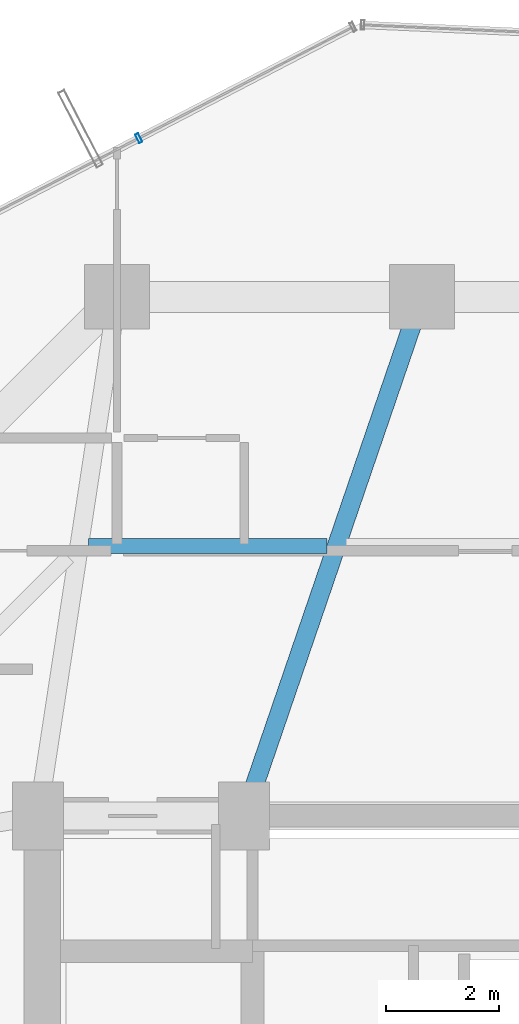
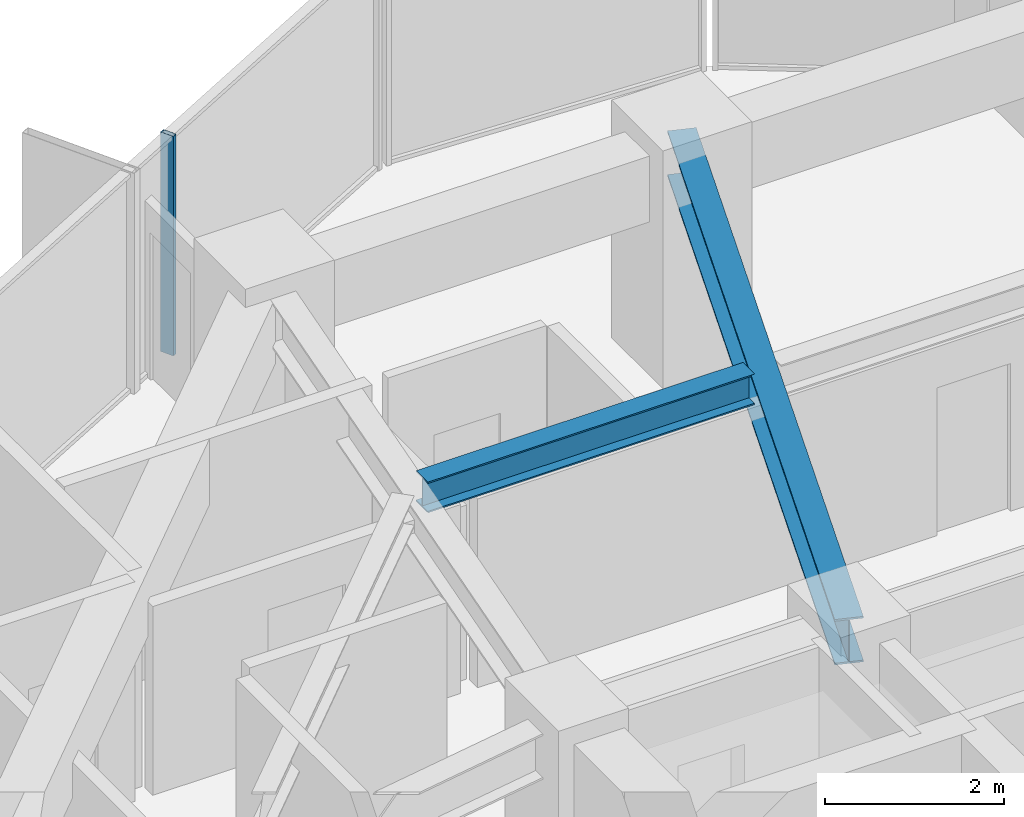
# One storey, part 19 of 30: 2 beams, 1 member, 1 element without a shape of its own.
"""IFC4 building model written with IfcOpenShell, lengths in metres."""

import ifcopenshell
import ifcopenshell.guid

model = None  # the IFC model being written
_history = None  # IfcOwnerHistory: only IFC2X3 demands one
_inside = {}  # id of a spatial element -> (the spatial element, [elements in it])
_under = {}  # id of a project, library or spatial element -> (it, [spatial elements below it])
_declared = {}  # id of a project -> (the project, [libraries it declares])
_typed = {}  # id of a type object -> (the type object, [elements of that type])
_made_of = {}  # id of a material, layer set ... -> (it, [elements and type objects made of it])


def new_model(schema):
    """Start an empty IFC model of exactly this schema.

    Asked for "IFC4X3", IfcOpenShell would pick the latest addendum, in which some entities
    have other attributes; the version numbers below select the first issue.
    IFC2X3 requires an IfcOwnerHistory on every rooted entity: one is made here for all.
    """
    global model, _history
    if schema == "IFC4X3":
        model = ifcopenshell.file(schema_version=(4, 3, 0, 0))
    else:
        model = ifcopenshell.file(schema=schema)
    _inside.clear()
    _under.clear()
    _declared.clear()
    _typed.clear()
    _made_of.clear()
    _history = None
    if model.schema == "IFC2X3":
        org = make("IfcOrganization", Name="unknown")
        user = make(
            "IfcPersonAndOrganization",
            ThePerson=make("IfcPerson", FamilyName="unknown"),
            TheOrganization=org,
        )
        app = make(
            "IfcApplication",
            ApplicationDeveloper=org,
            Version="unknown",
            ApplicationFullName="unknown",
            ApplicationIdentifier="unknown",
        )
        _history = make(
            "IfcOwnerHistory",
            OwningUser=user,
            OwningApplication=app,
            ChangeAction="ADDED",
            CreationDate=0,
        )
    return model


def make(cls, **values):
    """One entity of the class cls with the attributes given. An attribute that is None is left unset."""
    return model.create_entity(
        cls, **{name: value for name, value in values.items() if value is not None}
    )


def rooted(cls, **values):
    """An entity with a GlobalId (a new one), such as an element, a storey or a relation."""
    return make(cls, GlobalId=ifcopenshell.guid.new(), OwnerHistory=_history, **values)


def si_unit(unit_type, name, prefix=None):
    """IfcSIUnit, for example si_unit("LENGTHUNIT", "METRE", prefix="MILLI")."""
    return make("IfcSIUnit", UnitType=unit_type, Prefix=prefix, Name=name)


def assignment(units):
    """IfcUnitAssignment: the units of a project."""
    return None if units is None else make("IfcUnitAssignment", Units=units)


def point(xyz):
    """IfcCartesianPoint."""
    return None if xyz is None else make("IfcCartesianPoint", Coordinates=xyz)


def direction(xyz):
    """IfcDirection."""
    return None if xyz is None else make("IfcDirection", DirectionRatios=xyz)


def frame(location, z_axis=None, x_axis=None):
    """IfcAxis2Placement3D, a coordinate frame: its origin and axes. An axis left out is left unset."""
    return make(
        "IfcAxis2Placement3D",
        Location=point(location),
        Axis=direction(z_axis),
        RefDirection=direction(x_axis),
    )


def frame_2d(location, x_axis=None):
    """IfcAxis2Placement2D, a coordinate frame in the plane: its origin and x axis."""
    return make(
        "IfcAxis2Placement2D", Location=point(location), RefDirection=direction(x_axis)
    )


def origin():
    """The frame at (0, 0, 0) with its axes left unset."""
    return frame((0.0, 0.0, 0.0))


def origin_2d():
    """The frame at (0, 0) in the plane with its x axis left unset."""
    return frame_2d((0.0, 0.0))


def place(relative_to, where):
    """IfcLocalPlacement: puts the frame where relative to a parent placement (None: the world)."""
    return make(
        "IfcLocalPlacement", PlacementRelTo=relative_to, RelativePlacement=where
    )


def context(
    kind, dimensions, precision=None, world=None, true_north=None, identifier=None
):
    """IfcGeometricRepresentationContext, for example the 3D "Model" context."""
    return make(
        "IfcGeometricRepresentationContext",
        ContextIdentifier=identifier,
        ContextType=kind,
        CoordinateSpaceDimension=dimensions,
        Precision=precision,
        WorldCoordinateSystem=world,
        TrueNorth=true_north,
    )


def subcontext(parent, identifier, kind, view, scale=None):
    """IfcGeometricRepresentationSubContext, for example "Body" below "Model"."""
    return make(
        "IfcGeometricRepresentationSubContext",
        ContextIdentifier=identifier,
        ContextType=kind,
        ParentContext=parent,
        TargetScale=scale,
        TargetView=view,
    )


def project(units=None, contexts=None):
    """IfcProject with its units and contexts."""
    return rooted(
        "IfcProject",
        Name="project",
        RepresentationContexts=contexts,
        UnitsInContext=assignment(units),
    )


def spatial(cls, under=None, at=None, **own):
    """A site, building, storey or space (cls), placed at a placement, below another one or the project."""
    s = rooted(cls, ObjectPlacement=at, **own)
    if under is not None:
        _under.setdefault(under.id(), (under, []))[1].append(s)
    return s


def profile(cls, at=None, kind="AREA", **sizes):
    """A parametric profile (cls). Its sizes go by their IFC names, for example OverallWidth=200.0."""
    return make(cls, ProfileType=kind, Position=at, **sizes)


def hollow_rectangle(**sizes):
    """IfcRectangleHollowProfileDef."""
    return profile("IfcRectangleHollowProfileDef", **sizes)


def i_section(**sizes):
    """IfcIShapeProfileDef."""
    return profile("IfcIShapeProfileDef", **sizes)


def extrude(swept, where, along, depth):
    """IfcExtrudedAreaSolid: the profile swept, set in the frame where, extruded along a direction by depth."""
    return make(
        "IfcExtrudedAreaSolid",
        SweptArea=swept,
        Position=where,
        ExtrudedDirection=direction(along),
        Depth=depth,
    )


def shape(context_of_items, identifier, shape_type, items):
    """IfcShapeRepresentation: the items that make up one representation, for example the "Body"."""
    return make(
        "IfcShapeRepresentation",
        ContextOfItems=context_of_items,
        RepresentationIdentifier=identifier,
        RepresentationType=shape_type,
        Items=items,
    )


def source(mapping_origin, context_of_items, identifier, shape_type, items):
    """IfcRepresentationMap: a shape defined once, which mapped items show again and again."""
    return make(
        "IfcRepresentationMap",
        MappingOrigin=mapping_origin,
        MappedRepresentation=shape(context_of_items, identifier, shape_type, items),
    )


def transform(
    local_origin,
    x_axis=None,
    y_axis=None,
    z_axis=None,
    scale=None,
    scale2=None,
    scale3=None,
    uniform=True,
):
    """IfcCartesianTransformationOperator3D, or its non-uniform kind. x_axis, y_axis, z_axis: its Axis1, 2, 3."""
    if uniform:
        return make(
            "IfcCartesianTransformationOperator3D",
            Axis1=direction(x_axis),
            Axis2=direction(y_axis),
            LocalOrigin=point(local_origin),
            Scale=scale,
            Axis3=direction(z_axis),
        )
    return make(
        "IfcCartesianTransformationOperator3DnonUniform",
        Axis1=direction(x_axis),
        Axis2=direction(y_axis),
        LocalOrigin=point(local_origin),
        Scale=scale,
        Axis3=direction(z_axis),
        Scale2=scale2,
        Scale3=scale3,
    )


def mapped(mapping_source, mapping_target):
    """IfcMappedItem: shows the shape of a source again, moved by a transform."""
    return make(
        "IfcMappedItem", MappingSource=mapping_source, MappingTarget=mapping_target
    )


def material(Name=None, Category=None):
    """IfcMaterial."""
    return make("IfcMaterial", Name=Name, Category=Category)


def layer(
    of_material, thickness, ventilated=None, Name=None, Category=None, Priority=None
):
    """IfcMaterialLayer: one layer of a wall or slab, of a material (None: an air gap)."""
    return make(
        "IfcMaterialLayer",
        Material=of_material,
        LayerThickness=thickness,
        IsVentilated=ventilated,
        Name=Name,
        Category=Category,
        Priority=Priority,
    )


def layer_set(layers, Name=None):
    """IfcMaterialLayerSet."""
    return make("IfcMaterialLayerSet", MaterialLayers=layers, LayerSetName=Name)


def material_profile(
    of_material, cross_section, Name=None, Category=None, Priority=None
):
    """IfcMaterialProfile: a cross section and its material."""
    return make(
        "IfcMaterialProfile",
        Name=Name,
        Material=of_material,
        Profile=cross_section,
        Priority=Priority,
        Category=Category,
    )


def profile_set(profiles, Name=None, composite=None):
    """IfcMaterialProfileSet."""
    return make(
        "IfcMaterialProfileSet",
        Name=Name,
        MaterialProfiles=profiles,
        CompositeProfile=composite,
    )


def made_of(thing, what):
    """Note that an element or type object is made of a material, layer set ...; save() writes the relation."""
    if what is not None:
        _made_of.setdefault(what.id(), (what, []))[1].append(thing)
    return thing


def type_object(cls, material=None, **own):
    """A type object (cls), such as IfcWallType, which elements share."""
    return made_of(rooted(cls, **own), material)


def element(
    cls,
    number,
    at=None,
    inside=None,
    cuts=None,
    type_object=None,
    material=None,
    context=None,
    identifier="Body",
    shape_type=None,
    held_by="IfcProductDefinitionShape",
    body=None,
    shapes=None,
    **own,
):
    """One element of the class cls, such as IfcWall. Its Tag is "e" and its number.

    at: its placement. inside: the storey or other place that contains it. cuts: it is an
    opening in that element (IfcRelVoidsElement). A single representation is given by context,
    identifier, shape_type and body (its items); several are given by shapes. held_by: the class
    of the entity that holds the representations. save() writes the other relations.
    """
    e = rooted(cls, Tag="e%d" % number, ObjectPlacement=at, **own)
    if body is not None:
        shapes = [shape(context, identifier, shape_type, body)]
    if shapes is not None:
        e.Representation = make(held_by, Representations=shapes)
    if inside is not None:
        _inside.setdefault(inside.id(), (inside, []))[1].append(e)
    if cuts is not None:
        rooted(
            "IfcRelVoidsElement", RelatingBuildingElement=cuts, RelatedOpeningElement=e
        )
    if type_object is not None:
        _typed.setdefault(type_object.id(), (type_object, []))[1].append(e)
    return made_of(e, material)


def aggregate(whole, parts):
    """IfcRelAggregates: a whole, such as a stair, and the parts it consists of."""
    return rooted("IfcRelAggregates", RelatingObject=whole, RelatedObjects=parts)


def save(model, path):
    """Write the relations noted so far, then the file.

    IfcRelAggregates (storeys below a building ...), IfcRelContainedInSpatialStructure (elements
    in a storey), IfcRelDefinesByType, IfcRelAssociatesMaterial and IfcRelDeclares: one each for
    every whole, place, type object, material and project.
    """
    for whole, parts in _under.values():
        aggregate(whole, parts)
    for where, things in _inside.values():
        rooted(
            "IfcRelContainedInSpatialStructure",
            RelatedElements=things,
            RelatingStructure=where,
        )
    for kind, things in _typed.values():
        rooted("IfcRelDefinesByType", RelatedObjects=things, RelatingType=kind)
    for what, things in _made_of.values():
        rooted("IfcRelAssociatesMaterial", RelatedObjects=things, RelatingMaterial=what)
    for by, libraries in _declared.values():
        rooted("IfcRelDeclares", RelatingContext=by, RelatedDefinitions=libraries)
    model.write(path)


model = new_model("IFC4")

# Units and contexts
model_context = context("Model", 3, precision=1e-05, world=origin(), true_north=direction((0.0, 1.0)))
body_context = subcontext(model_context, "Body", "Model", "MODEL_VIEW")
ifc_project = project(units=[si_unit("LENGTHUNIT", "METRE"), si_unit("AREAUNIT", "SQUARE_METRE"), si_unit("VOLUMEUNIT", "CUBIC_METRE"), si_unit("PLANEANGLEUNIT", "RADIAN"), si_unit("MASSUNIT", "GRAM", prefix="KILO")], contexts=[model_context])

# Site, building, storey
site_placement = place(None, origin())
site = spatial("IfcSite", under=ifc_project, at=site_placement, CompositionType="ELEMENT")
building_placement = place(site_placement, origin())
building = spatial("IfcBuilding", under=site, at=building_placement, Name="Veraguas Prism Commons", CompositionType="ELEMENT")
storey_placement = place(building_placement, frame((0.0, 0.0, 119.75)))
storey = spatial("IfcBuildingStorey", under=building, at=storey_placement, Name="L33", CompositionType="ELEMENT", Elevation=119.75)

# Beams
ifc_material_1 = material(Name="Steel ASTM A992 Grade 50", Category="steel")
ifc_material_profile_1 = material_profile(ifc_material_1, i_section(OverallWidth=0.260986328125, OverallDepth=0.419921875, WebThickness=0.01171875, FlangeThickness=0.019287109375, at=origin_2d()), Name="W410X114")
ifc_profile_set_1 = profile_set([ifc_material_profile_1], Name="Steel ASTM A992 Grade 50")
beam_type_1 = type_object("IfcBeamType", Name="Lower Floor Joist W410x114", PredefinedType="JOIST", material=ifc_profile_set_1)
beam_1_placement = place(storey_placement, frame((22.31689453125, 35.783935546875, 2.7900390625), z_axis=(-1.0, 0.0, 0.0), x_axis=(0.0, -1.0, 0.0)))
element("IfcBeam", 1, at=beam_1_placement, inside=storey, type_object=beam_type_1, Name="Composite Floor Joist L33-JS05", PredefinedType="JOIST", context=body_context, shape_type="SweptSolid", body=[
    extrude(i_section(OverallWidth=0.260986328125, OverallDepth=0.419921875, WebThickness=0.01171875, FlangeThickness=0.019287109375, at=origin_2d()), origin(), (0.0, 0.0, 1.0), 4.22509765625),
])
ifc_material_profile_2 = material_profile(ifc_material_1, i_section(OverallWidth=0.327880859375, OverallDepth=0.6220703125, WebThickness=0.015380859375, FlangeThickness=0.0244140625, at=origin_2d()), Name="W610X195")
ifc_profile_set_2 = profile_set([ifc_material_profile_2], Name="Steel ASTM A992 Grade 50")
beam_type_2 = type_object("IfcBeamType", Name="Zone 2 Radial Girder W610x195", PredefinedType="BEAM", material=ifc_profile_set_2)
beam_2_placement = place(storey_placement, frame((24.0, 40.199951171875, 2.68896484375), z_axis=(-0.323922482989, -0.946083624747, 0.0), x_axis=(0.946083624747, -0.323922482989, 0.0)))
element("IfcBeam", 2, at=beam_2_placement, inside=storey, type_object=beam_type_2, Name="Radial Floor Girder L33-RD05", PredefinedType="BEAM", context=body_context, shape_type="SweptSolid", body=[
    extrude(i_section(OverallWidth=0.327880859375, OverallDepth=0.6220703125, WebThickness=0.015380859375, FlangeThickness=0.0244140625, at=origin_2d()), origin(), (0.0, 0.0, 1.0), 9.724365234375),
])

# Curtain wall, member
ifc_material_2 = material(Name="Anodised aluminium EN AW-6063 T6", Category="aluminium")
ifc_layer = layer(ifc_material_2, 0.169921875, Name="Unitised Flush Curtain Wall Zone 2", Category="aluminium")
ifc_layer_set = layer_set([ifc_layer], Name="Anodised aluminium EN AW-6063 T6")
curtain_wall_type = type_object("IfcCurtainWallType", Name="Unitised Flush Curtain Wall Zone 2", PredefinedType="NOTDEFINED", material=ifc_layer_set)
curtain_wall_placement = place(storey_placement, origin())
curtain_wall = element("IfcCurtainWall", 3, at=curtain_wall_placement, inside=storey, type_object=curtain_wall_type, Name="Tower Facade Curtain Wall L33-F2", PredefinedType="NOTDEFINED")
ifc_material_profile_3 = material_profile(ifc_material_2, hollow_rectangle(XDim=0.06005859375, YDim=0.169921875, WallThickness=0.00390625, at=origin_2d()), Name="AL60X170X4")
ifc_profile_set_3 = profile_set([ifc_material_profile_3], Name="Anodised aluminium EN AW-6063 T6")
member_type = type_object("IfcMemberType", Name="Curtain Wall Mullion Lower AL 60x170x4", PredefinedType="MULLION", material=ifc_profile_set_3)
shared_shape = source(origin(), body_context, "Body", "SweptSolid", [
    extrude(hollow_rectangle(XDim=0.06005859375, YDim=0.169921875, WallThickness=0.00390625, at=origin_2d()), origin(), (0.0, 0.0, 1.0), 3.0),
])
member_placement = place(storey_placement, frame((18.984130859375, 43.009765625, 0.0), z_axis=(0.0, 0.0, 1.0), x_axis=(-0.887493888749, -0.46081948465, 0.0)))
member = element("IfcMember", 4, at=member_placement, type_object=member_type, Name="CW-Z2 Mullion 2", PredefinedType="MULLION", context=body_context, shape_type="MappedRepresentation", body=[
    mapped(shared_shape, transform((0.0, 0.0, 0.0), scale=1.0)),
])
aggregate(curtain_wall, [member])

save(model, "model.ifc")
